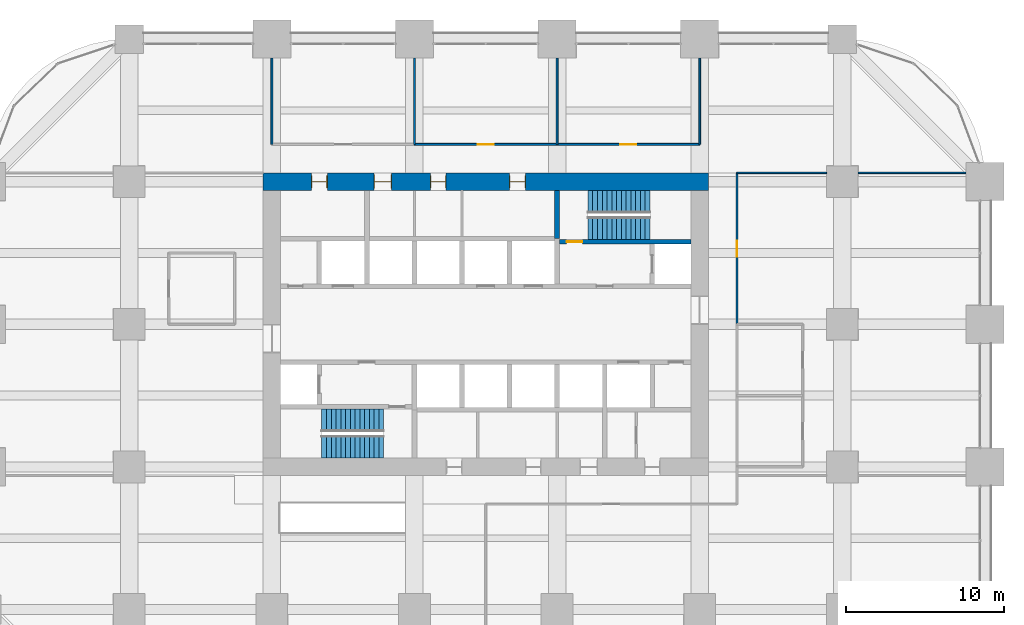
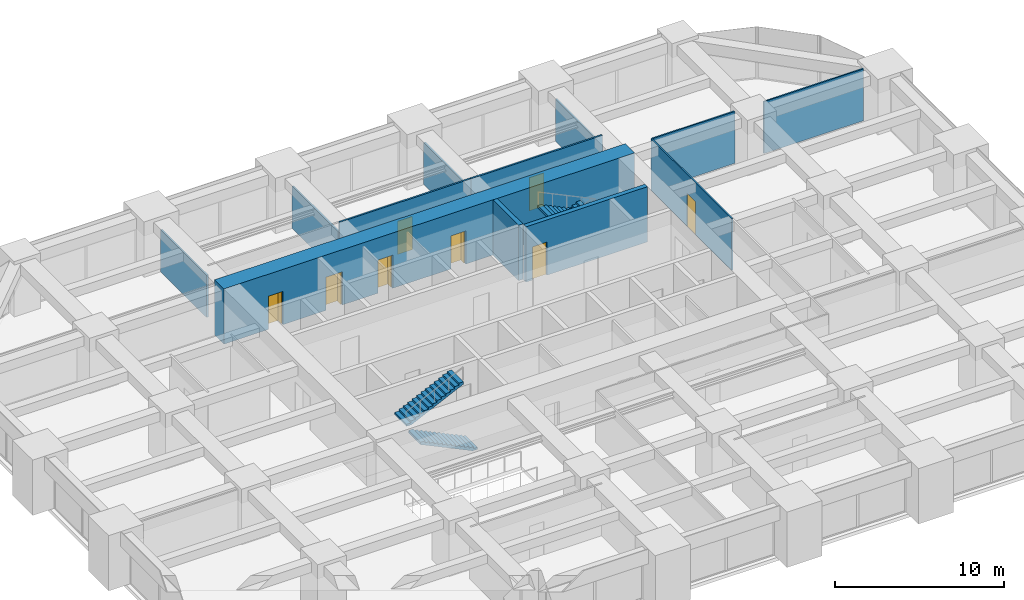
# One storey, part 38 of 39: 12 walls, 8 doors, 4 stair flights, 8 openings, 2 elements without a shape of their own.
"""IFC4 building model written with IfcOpenShell, lengths in metres."""

from ifc_helpers import new_model, si_unit, direction, frame, frame_2d, origin, place, context, subcontext, project, spatial, polyline, rectangle, outline, extrude, material, layer, layer_set, type_object, element, fill, aggregate, save


model = new_model("IFC4")

# Units and contexts
model_context = context("Model", 3, precision=1e-05, world=origin(), true_north=direction((0.0, 1.0)))
body_context = subcontext(model_context, "Body", "Model", "MODEL_VIEW")
ifc_project = project(units=[si_unit("LENGTHUNIT", "METRE"), si_unit("AREAUNIT", "SQUARE_METRE"), si_unit("VOLUMEUNIT", "CUBIC_METRE"), si_unit("PLANEANGLEUNIT", "RADIAN"), si_unit("MASSUNIT", "GRAM", prefix="KILO")], contexts=[model_context])

# Site, building, storey
site_placement = place(None, origin())
site = spatial("IfcSite", under=ifc_project, at=site_placement, CompositionType="ELEMENT")
building_placement = place(site_placement, origin())
building = spatial("IfcBuilding", under=site, at=building_placement, Name="Zorevar Civic Tower", CompositionType="ELEMENT")
storey_placement = place(building_placement, frame((0.0, 0.0, 121.0)))
storey = spatial("IfcBuildingStorey", under=building, at=storey_placement, Name="L29", CompositionType="ELEMENT", Elevation=121.0)

# Wall, openings, doors
ifc_material_1 = material(Name="Concrete C50/60", Category="concrete")
ifc_layer_1 = layer(ifc_material_1, 1.10009765625)
ifc_layer_set_1 = layer_set([ifc_layer_1], Name="Core wall 1100")
wall_type_1 = type_object("IfcWallType", Name="Core wall 1100", PredefinedType="SHEAR", material=ifc_layer_set_1)
wall_1_placement = place(storey_placement, frame((45.550048828125, 36.0, 0.0), z_axis=(0.0, 0.0, 1.0), x_axis=(-1.0, 0.0, 0.0)))
wall_1 = element("IfcWall", 1, at=wall_1_placement, inside=storey, type_object=wall_type_1, Name="Core wall N L29", PredefinedType="SHEAR", context=body_context, shape_type="SweptSolid", body=[
    extrude(rectangle(XDim=28.10009765625, YDim=1.10009765625, at=frame_2d((14.050048828125, 0.0))), origin(), (0.0, 0.0, 1.0), 4.0),
])
opening_1_placement = place(wall_1_placement, frame((11.550048828125, 0.0, 0.0)))
opening_1 = element("IfcOpeningElement", 2, at=opening_1_placement, cuts=wall_1, Name="Opening L29.07", PredefinedType="OPENING", context=body_context, shape_type="SweptSolid", body=[
    extrude(rectangle(XDim=1.0, YDim=2.39990234375, at=frame_2d((0.5, 1.199951171875))), frame((0.0, 0.56005859375, 0.0), z_axis=(0.0, -1.0, 0.0), x_axis=(1.0, 0.0, 0.0)), (0.0, 0.0, 1.0), 1.1201171875),
])
opening_2_placement = place(wall_1_placement, frame((16.550048828125, 0.0, 0.0)))
opening_2 = element("IfcOpeningElement", 3, at=opening_2_placement, cuts=wall_1, Name="Opening L29.08", PredefinedType="OPENING", context=body_context, shape_type="SweptSolid", body=[
    extrude(rectangle(XDim=1.0, YDim=2.39990234375, at=frame_2d((0.5, 1.199951171875))), frame((0.0, 0.56005859375, 0.0), z_axis=(0.0, -1.0, 0.0), x_axis=(1.0, 0.0, 0.0)), (0.0, 0.0, 1.0), 1.1201171875),
])
opening_3_placement = place(wall_1_placement, frame((20.0, 0.0, 0.0)))
opening_3 = element("IfcOpeningElement", 4, at=opening_3_placement, cuts=wall_1, Name="Opening L29.09", PredefinedType="OPENING", context=body_context, shape_type="SweptSolid", body=[
    extrude(rectangle(XDim=1.10009765625, YDim=2.39990234375, at=frame_2d((0.550048828125, 1.199951171875))), frame((0.0, 0.56005859375, 0.0), z_axis=(0.0, -1.0, 0.0), x_axis=(1.0, 0.0, 0.0)), (0.0, 0.0, 1.0), 1.1201171875),
])
opening_4_placement = place(wall_1_placement, frame((24.050048828125, 0.0, 0.0)))
opening_4 = element("IfcOpeningElement", 5, at=opening_4_placement, cuts=wall_1, Name="Opening L29.10", PredefinedType="OPENING", context=body_context, shape_type="SweptSolid", body=[
    extrude(rectangle(XDim=1.0, YDim=2.39990234375, at=frame_2d((0.5, 1.199951171875))), frame((0.0, 0.56005859375, 0.0), z_axis=(0.0, -1.0, 0.0), x_axis=(1.0, 0.0, 0.0)), (0.0, 0.0, 1.0), 1.1201171875),
])
ifc_material_2 = material(Name="Timber door set", Category="wood")
door_type_1 = type_object("IfcDoorType", Name="Door D1 1000x2400", OperationType="SINGLE_SWING_LEFT", PredefinedType="DOOR", material=ifc_material_2)
door_1_placement = place(opening_1_placement, origin())
door_1 = element("IfcDoor", 6, at=door_1_placement, inside=storey, type_object=door_type_1, Name="Door L29 06", OperationType="SINGLE_SWING_LEFT", OverallHeight=2.39990234375, OverallWidth=1.0, PredefinedType="DOOR", context=body_context, shape_type="SweptSolid", body=[
    extrude(rectangle(XDim=1.0, YDim=2.39990234375, at=frame_2d((0.5, 1.199951171875))), frame((0.0, 0.02490234375, 0.0), z_axis=(0.0, -1.0, 0.0), x_axis=(1.0, 0.0, 0.0)), (0.0, 0.0, 1.0), 0.050048828125),
    extrude(rectangle(XDim=0.04, YDim=2.39990234375, at=frame_2d((0.02001953125, 1.199951171875))), frame((0.0, 0.39990234375, 0.0), z_axis=(0.0, -1.0, 0.0), x_axis=(1.0, 0.0, 0.0)), (0.0, 0.0, 1.0), 0.800048828125),
    extrude(rectangle(XDim=0.04, YDim=2.39990234375, at=frame_2d((0.97998046875, 1.199951171875))), frame((0.0, 0.39990234375, 0.0), z_axis=(0.0, -1.0, 0.0), x_axis=(1.0, 0.0, 0.0)), (0.0, 0.0, 1.0), 0.800048828125),
    extrude(rectangle(XDim=1.0, YDim=0.04, at=frame_2d((0.5, 2.3798828125))), frame((0.0, 0.39990234375, 0.0), z_axis=(0.0, -1.0, 0.0), x_axis=(1.0, 0.0, 0.0)), (0.0, 0.0, 1.0), 0.800048828125),
])
fill(opening_1, door_1)
door_2_placement = place(opening_2_placement, origin())
door_2 = element("IfcDoor", 7, at=door_2_placement, inside=storey, type_object=door_type_1, Name="Door L29 07", OperationType="SINGLE_SWING_RIGHT", OverallHeight=2.39990234375, OverallWidth=1.0, PredefinedType="DOOR", context=body_context, shape_type="SweptSolid", body=[
    extrude(rectangle(XDim=1.0, YDim=2.39990234375, at=frame_2d((0.5, 1.199951171875))), frame((0.0, 0.02490234375, 0.0), z_axis=(0.0, -1.0, 0.0), x_axis=(1.0, 0.0, 0.0)), (0.0, 0.0, 1.0), 0.050048828125),
    extrude(rectangle(XDim=0.04, YDim=2.39990234375, at=frame_2d((0.02001953125, 1.199951171875))), frame((0.0, 0.39990234375, 0.0), z_axis=(0.0, -1.0, 0.0), x_axis=(1.0, 0.0, 0.0)), (0.0, 0.0, 1.0), 0.800048828125),
    extrude(rectangle(XDim=0.04, YDim=2.39990234375, at=frame_2d((0.97998046875, 1.199951171875))), frame((0.0, 0.39990234375, 0.0), z_axis=(0.0, -1.0, 0.0), x_axis=(1.0, 0.0, 0.0)), (0.0, 0.0, 1.0), 0.800048828125),
    extrude(rectangle(XDim=1.0, YDim=0.04, at=frame_2d((0.5, 2.3798828125))), frame((0.0, 0.39990234375, 0.0), z_axis=(0.0, -1.0, 0.0), x_axis=(1.0, 0.0, 0.0)), (0.0, 0.0, 1.0), 0.800048828125),
])
fill(opening_2, door_2)
door_3_placement = place(opening_4_placement, origin())
door_3 = element("IfcDoor", 8, at=door_3_placement, inside=storey, type_object=door_type_1, Name="Door L29 09", OperationType="SINGLE_SWING_RIGHT", OverallHeight=2.39990234375, OverallWidth=1.0, PredefinedType="DOOR", context=body_context, shape_type="SweptSolid", body=[
    extrude(rectangle(XDim=1.0, YDim=2.39990234375, at=frame_2d((0.5, 1.199951171875))), frame((0.0, 0.02490234375, 0.0), z_axis=(0.0, -1.0, 0.0), x_axis=(1.0, 0.0, 0.0)), (0.0, 0.0, 1.0), 0.050048828125),
    extrude(rectangle(XDim=0.04, YDim=2.39990234375, at=frame_2d((0.02001953125, 1.199951171875))), frame((0.0, 0.39990234375, 0.0), z_axis=(0.0, -1.0, 0.0), x_axis=(1.0, 0.0, 0.0)), (0.0, 0.0, 1.0), 0.800048828125),
    extrude(rectangle(XDim=0.04, YDim=2.39990234375, at=frame_2d((0.97998046875, 1.199951171875))), frame((0.0, 0.39990234375, 0.0), z_axis=(0.0, -1.0, 0.0), x_axis=(1.0, 0.0, 0.0)), (0.0, 0.0, 1.0), 0.800048828125),
    extrude(rectangle(XDim=1.0, YDim=0.04, at=frame_2d((0.5, 2.3798828125))), frame((0.0, 0.39990234375, 0.0), z_axis=(0.0, -1.0, 0.0), x_axis=(1.0, 0.0, 0.0)), (0.0, 0.0, 1.0), 0.800048828125),
])
fill(opening_4, door_3)
ifc_material_3 = material(Name="Timber door set", Category="wood")
door_type_2 = type_object("IfcDoorType", Name="Door D5 1100x2400", OperationType="SINGLE_SWING_LEFT", PredefinedType="DOOR", material=ifc_material_3)
door_4_placement = place(opening_3_placement, origin())
door_4 = element("IfcDoor", 9, at=door_4_placement, inside=storey, type_object=door_type_2, Name="Door L29 08", OperationType="SINGLE_SWING_RIGHT", OverallHeight=2.39990234375, OverallWidth=1.10009765625, PredefinedType="DOOR", context=body_context, shape_type="SweptSolid", body=[
    extrude(rectangle(XDim=1.10009765625, YDim=2.39990234375, at=frame_2d((0.550048828125, 1.199951171875))), frame((0.0, 0.02490234375, 0.0), z_axis=(0.0, -1.0, 0.0), x_axis=(1.0, 0.0, 0.0)), (0.0, 0.0, 1.0), 0.050048828125),
    extrude(rectangle(XDim=0.04, YDim=2.39990234375, at=frame_2d((0.02001953125, 1.199951171875))), frame((0.0, 0.43994140625, 0.0), z_axis=(0.0, -1.0, 0.0), x_axis=(1.0, 0.0, 0.0)), (0.0, 0.0, 1.0), 0.880126953125),
    extrude(rectangle(XDim=0.04, YDim=2.39990234375, at=frame_2d((1.080078125, 1.199951171875))), frame((0.0, 0.43994140625, 0.0), z_axis=(0.0, -1.0, 0.0), x_axis=(1.0, 0.0, 0.0)), (0.0, 0.0, 1.0), 0.880126953125),
    extrude(rectangle(XDim=1.10009765625, YDim=0.04, at=frame_2d((0.550048828125, 2.3798828125))), frame((0.0, 0.43994140625, 0.0), z_axis=(0.0, -1.0, 0.0), x_axis=(1.0, 0.0, 0.0)), (0.0, 0.0, 1.0), 0.880126953125),
])
fill(opening_3, door_4)

# Walls
ifc_material_4 = material(Name="Laminated glass in black aluminium frame", Category="aluminium")
ifc_layer_2 = layer(ifc_material_4, 0.10009765625)
ifc_layer_set_2 = layer_set([ifc_layer_2], Name="Glazed partition 100")
wall_type_2 = type_object("IfcWallType", Name="Glazed partition 100", PredefinedType="PARTITIONING", material=ifc_layer_set_2)
wall_2_placement = place(storey_placement, frame((47.35009765625, 36.550048828125, 0.0), z_axis=(0.0, 0.0, 1.0), x_axis=(1.0, 0.0, 0.0)))
element("IfcWall", 10, at=wall_2_placement, inside=storey, type_object=wall_type_2, Name="Glazed partition 100 L29", PredefinedType="PARTITIONING", context=body_context, shape_type="SweptSolid", body=[
    extrude(rectangle(XDim=5.64990234375, YDim=0.10009765625, at=frame_2d((2.824951171875, 0.0))), origin(), (0.0, 0.0, 1.0), 3.75),
])
wall_3_placement = place(storey_placement, frame((55.0, 36.550048828125, 0.0), z_axis=(0.0, 0.0, 1.0), x_axis=(1.0, 0.0, 0.0)))
element("IfcWall", 11, at=wall_3_placement, inside=storey, type_object=wall_type_2, Name="Glazed partition 100 L29", PredefinedType="PARTITIONING", context=body_context, shape_type="SweptSolid", body=[
    extrude(rectangle(XDim=6.800048828125, YDim=0.10009765625, at=frame_2d((3.39990234375, 0.0))), origin(), (0.0, 0.0, 1.0), 3.75),
])

# Wall, opening, door
wall_4_placement = place(storey_placement, frame((47.35009765625, 27.0, 0.0), z_axis=(0.0, 0.0, 1.0), x_axis=(0.0, 1.0, 0.0)))
wall_4 = element("IfcWall", 12, at=wall_4_placement, inside=storey, type_object=wall_type_2, Name="Glazed partition 100 L29", PredefinedType="PARTITIONING", context=body_context, shape_type="SweptSolid", body=[
    extrude(rectangle(XDim=9.550048828125, YDim=0.10009765625, at=frame_2d((4.77490234375, 0.0))), origin(), (0.0, 0.0, 1.0), 3.75),
])
opening_5_placement = place(wall_4_placement, frame((4.27490234375, 0.0, 0.0)))
opening_5 = element("IfcOpeningElement", 13, at=opening_5_placement, cuts=wall_4, Name="Opening L29.24", PredefinedType="OPENING", context=body_context, shape_type="SweptSolid", body=[
    extrude(rectangle(XDim=1.0, YDim=2.39990234375, at=frame_2d((0.5, 1.199951171875))), frame((0.0, 0.06005859375, 0.0), z_axis=(0.0, -1.0, 0.0), x_axis=(1.0, 0.0, 0.0)), (0.0, 0.0, 1.0), 0.1201171875),
])
ifc_material_5 = material(Name="Timber door set", Category="wood")
door_type_3 = type_object("IfcDoorType", Name="Glazed door GD1 1000x2400", OperationType="SINGLE_SWING_LEFT", PredefinedType="DOOR", material=ifc_material_5)
door_5_placement = place(opening_5_placement, origin())
door_5 = element("IfcDoor", 14, at=door_5_placement, inside=storey, type_object=door_type_3, Name="Door L29 D1", OperationType="SINGLE_SWING_RIGHT", OverallHeight=2.39990234375, OverallWidth=1.0, PredefinedType="DOOR", context=body_context, shape_type="SweptSolid", body=[
    extrude(rectangle(XDim=1.0, YDim=2.39990234375, at=frame_2d((0.5, 1.199951171875))), frame((0.0, 0.02001953125, 0.0), z_axis=(0.0, -1.0, 0.0), x_axis=(1.0, 0.0, 0.0)), (0.0, 0.0, 1.0), 0.0400390625),
])
fill(opening_5, door_5)

ifc_material_6 = material(Name="Concrete C40/50", Category="concrete")
ifc_layer_3 = layer(ifc_material_6, 0.300048828125)
ifc_layer_set_3 = layer_set([ifc_layer_3], Name="Inner core wall 300")
wall_type_3 = type_object("IfcWallType", Name="Inner core wall 300", PredefinedType="SHEAR", material=ifc_layer_set_3)
wall_5_placement = place(storey_placement, frame((36.14990234375, 32.199951171875, 0.0), z_axis=(0.0, 0.0, 1.0), x_axis=(1.0, 0.0, 0.0)))
wall_5 = element("IfcWall", 15, at=wall_5_placement, inside=storey, type_object=wall_type_3, Name="Inner core wall N00 L29", PredefinedType="SHEAR", context=body_context, shape_type="SweptSolid", body=[
    extrude(rectangle(XDim=8.300048828125, YDim=0.300048828125, at=frame_2d((4.14990234375, 0.0))), origin(), (0.0, 0.0, 1.0), 4.0),
])
opening_6_placement = place(wall_5_placement, frame((0.449951171875, 0.0, 0.0)))
opening_6 = element("IfcOpeningElement", 16, at=opening_6_placement, cuts=wall_5, Name="Opening L29.12", PredefinedType="OPENING", context=body_context, shape_type="SweptSolid", body=[
    extrude(rectangle(XDim=1.0, YDim=2.39990234375, at=frame_2d((0.5, 1.199951171875))), frame((0.0, 0.159912109375, 0.0), z_axis=(0.0, -1.0, 0.0), x_axis=(1.0, 0.0, 0.0)), (0.0, 0.0, 1.0), 0.320068359375),
])
ifc_material_7 = material(Name="Steel door set", Category="steel")
door_type_4 = type_object("IfcDoorType", Name="Fire door FD1 1000x2400", OperationType="SINGLE_SWING_LEFT", PredefinedType="DOOR", material=ifc_material_7)
door_6_placement = place(opening_6_placement, origin())
door_6 = element("IfcDoor", 17, at=door_6_placement, inside=storey, type_object=door_type_4, Name="Door L29 11", OperationType="SINGLE_SWING_RIGHT", OverallHeight=2.39990234375, OverallWidth=1.0, PredefinedType="DOOR", context=body_context, shape_type="SweptSolid", body=[
    extrude(rectangle(XDim=1.0, YDim=2.39990234375, at=frame_2d((0.5, 1.199951171875))), frame((0.0, 0.030029296875, 0.0), z_axis=(0.0, -1.0, 0.0), x_axis=(1.0, 0.0, 0.0)), (0.0, 0.0, 1.0), 0.06005859375),
])
fill(opening_6, door_6)

# Wall
wall_6_placement = place(storey_placement, frame((36.0, 32.39990234375, 0.0), z_axis=(0.0, 0.0, 1.0), x_axis=(0.0, 1.0, 0.0)))
element("IfcWall", 18, at=wall_6_placement, inside=storey, type_object=wall_type_3, Name="Inner core wall N01 L29", PredefinedType="SHEAR", context=body_context, shape_type="SweptSolid", body=[
    extrude(rectangle(XDim=3.050048828125, YDim=0.300048828125, at=frame_2d((1.52490234375, 0.0))), origin(), (0.0, 0.0, 1.0), 4.0),
])

# Wall, opening, door
ifc_material_8 = material(Name="Gypsum board on steel studs", Category="steel")
ifc_layer_4 = layer(ifc_material_8, 0.1201171875)
ifc_layer_set_4 = layer_set([ifc_layer_4], Name="Partition 120")
wall_type_4 = type_object("IfcWallType", Name="Partition 120", PredefinedType="PARTITIONING", material=ifc_layer_set_4)
wall_7_placement = place(storey_placement, frame((27.0, 38.35009765625, 0.0), z_axis=(0.0, 0.0, 1.0), x_axis=(1.0, 0.0, 0.0)))
wall_7 = element("IfcWall", 19, at=wall_7_placement, inside=storey, type_object=wall_type_4, Name="Partition 120 L29", PredefinedType="PARTITIONING", context=body_context, shape_type="SweptSolid", body=[
    extrude(rectangle(XDim=9.0, YDim=0.1201171875, at=frame_2d((4.5, 0.0))), origin(), (0.0, 0.0, 1.0), 3.75),
])
opening_7_placement = place(wall_7_placement, frame((4.0, 0.0, 0.0)))
opening_7 = element("IfcOpeningElement", 20, at=opening_7_placement, cuts=wall_7, Name="Opening L29.21", PredefinedType="OPENING", context=body_context, shape_type="SweptSolid", body=[
    extrude(rectangle(XDim=1.0, YDim=2.39990234375, at=frame_2d((0.5, 1.199951171875))), frame((0.0, 0.070068359375, 0.0), z_axis=(0.0, -1.0, 0.0), x_axis=(1.0, 0.0, 0.0)), (0.0, 0.0, 1.0), 0.14013671875),
])
door_7_placement = place(opening_7_placement, origin())
door_7 = element("IfcDoor", 21, at=door_7_placement, inside=storey, type_object=door_type_1, Name="Door L29 D1", OperationType="SINGLE_SWING_LEFT", OverallHeight=2.39990234375, OverallWidth=1.0, PredefinedType="DOOR", context=body_context, shape_type="SweptSolid", body=[
    extrude(rectangle(XDim=1.0, YDim=2.39990234375, at=frame_2d((0.5, 1.199951171875))), frame((0.0, 0.02490234375, 0.0), z_axis=(0.0, -1.0, 0.0), x_axis=(1.0, 0.0, 0.0)), (0.0, 0.0, 1.0), 0.050048828125),
])
fill(opening_7, door_7)

wall_8_placement = place(storey_placement, frame((36.0, 38.35009765625, 0.0), z_axis=(0.0, 0.0, 1.0), x_axis=(1.0, 0.0, 0.0)))
wall_8 = element("IfcWall", 22, at=wall_8_placement, inside=storey, type_object=wall_type_4, Name="Partition 120 L29", PredefinedType="PARTITIONING", context=body_context, shape_type="SweptSolid", body=[
    extrude(rectangle(XDim=9.0, YDim=0.1201171875, at=frame_2d((4.5, 0.0))), origin(), (0.0, 0.0, 1.0), 3.75),
])
opening_8_placement = place(wall_8_placement, frame((4.0, 0.0, 0.0)))
opening_8 = element("IfcOpeningElement", 23, at=opening_8_placement, cuts=wall_8, Name="Opening L29.22", PredefinedType="OPENING", context=body_context, shape_type="SweptSolid", body=[
    extrude(rectangle(XDim=1.0, YDim=2.39990234375, at=frame_2d((0.5, 1.199951171875))), frame((0.0, 0.070068359375, 0.0), z_axis=(0.0, -1.0, 0.0), x_axis=(1.0, 0.0, 0.0)), (0.0, 0.0, 1.0), 0.14013671875),
])
door_8_placement = place(opening_8_placement, origin())
door_8 = element("IfcDoor", 24, at=door_8_placement, inside=storey, type_object=door_type_1, Name="Door L29 D1", OperationType="SINGLE_SWING_RIGHT", OverallHeight=2.39990234375, OverallWidth=1.0, PredefinedType="DOOR", context=body_context, shape_type="SweptSolid", body=[
    extrude(rectangle(XDim=1.0, YDim=2.39990234375, at=frame_2d((0.5, 1.199951171875))), frame((0.0, 0.02490234375, 0.0), z_axis=(0.0, -1.0, 0.0), x_axis=(1.0, 0.0, 0.0)), (0.0, 0.0, 1.0), 0.050048828125),
])
fill(opening_8, door_8)

# Walls
for number, where, z_axis, x_axis, name in (
    (25, (18.0, 38.35009765625, 0.0), (0.0, 0.0, 1.0), (0.0, 1.0, 0.0), "Partition 120 L29"),
    (26, (27.0, 38.35009765625, 0.0), (0.0, 0.0, 1.0), (0.0, 1.0, 0.0), "Partition 120 L29"),
    (27, (36.0, 38.35009765625, 0.0), (0.0, 0.0, 1.0), (0.0, 1.0, 0.0), "Partition 120 L29"),
    (28, (45.0, 38.35009765625, 0.0), (0.0, 0.0, 1.0), (0.0, 1.0, 0.0), "Partition 120 L29"),
):
    element("IfcWall", number, at=place(storey_placement, frame(where, z_axis=z_axis, x_axis=x_axis)), inside=storey, type_object=wall_type_4, Name=name, PredefinedType="PARTITIONING", context=body_context, shape_type="SweptSolid", body=[
        extrude(rectangle(XDim=5.449951171875, YDim=0.1201171875, at=frame_2d((2.72509765625, 0.0))), origin(), (0.0, 0.0, 1.0), 3.050048828125),
    ])

# Stair, stair flights
ifc_material_9 = material(Name="Precast concrete C40/50", Category="concrete")
stair_type = type_object("IfcStairType", Name="Stair ST 28R", PredefinedType="HALF_TURN_STAIR", material=ifc_material_9)
stair_1_placement = place(storey_placement, origin())
stair_1 = element("IfcStair", 29, at=stair_1_placement, inside=storey, type_object=stair_type, Name="Stair ST1 L29", PredefinedType="HALF_TURN_STAIR")
ifc_material_10 = material(Name="Precast concrete C40/50", Category="concrete")
stair_flight_type = type_object("IfcStairFlightType", Name="Stair flight", PredefinedType="STRAIGHT", material=ifc_material_10)
stair_flight_1_placement = place(storey_placement, frame((25.050048828125, 19.262451171875, 0.0), z_axis=(0.0, 0.0, 1.0), x_axis=(-1.0, 0.0, 0.0)))
stair_flight_1 = element("IfcStairFlight", 30, at=stair_flight_1_placement, type_object=stair_flight_type, Name="ST1 flight 1", NumberOfRisers=14, NumberOfTreads=13, PredefinedType="STRAIGHT", RiserHeight=0.142857143, TreadLength=0.3, context=body_context, shape_type="SweptSolid", body=[
    extrude(outline(polyline([(0.0, 0.0), (0.0, 0.142822265625), (0.300048828125, 0.142822265625), (0.300048828125, 0.28564453125), (0.60009765625, 0.28564453125), (0.60009765625, 0.428466796875), (0.89990234375, 0.428466796875), (0.89990234375, 0.571533203125), (1.199951171875, 0.571533203125), (1.199951171875, 0.71435546875), (1.5, 0.71435546875), (1.5, 0.857177734375), (1.800048828125, 0.857177734375), (1.800048828125, 1.0), (2.10009765625, 1.0), (2.10009765625, 1.142822265625), (2.39990234375, 1.142822265625), (2.39990234375, 1.28564453125), (2.699951171875, 1.28564453125), (2.699951171875, 1.428466796875), (3.0, 1.428466796875), (3.0, 1.571533203125), (3.300048828125, 1.571533203125), (3.300048828125, 1.71435546875), (3.60009765625, 1.71435546875), (3.60009765625, 1.857177734375), (3.89990234375, 1.857177734375), (3.89990234375, 2.0), (3.89990234375, 1.691162109375), (0.3486328125, 0.0), (0.0, 0.0)])), frame((0.0, 0.71240234375, 0.0), z_axis=(0.0, -1.0, 0.0), x_axis=(1.0, 0.0, 0.0)), (0.0, 0.0, 1.0), 1.425048828125),
])
stair_flight_2_placement = place(storey_placement, frame((21.14990234375, 20.9375, 2.0), z_axis=(0.0, 0.0, 1.0), x_axis=(1.0, 0.0, 0.0)))
stair_flight_2 = element("IfcStairFlight", 31, at=stair_flight_2_placement, type_object=stair_flight_type, Name="ST1 flight 2", NumberOfRisers=14, NumberOfTreads=13, PredefinedType="STRAIGHT", RiserHeight=0.142857143, TreadLength=0.3, context=body_context, shape_type="SweptSolid", body=[
    extrude(outline(polyline([(0.0, 0.0), (0.0, 0.142822265625), (0.300048828125, 0.142822265625), (0.300048828125, 0.28564453125), (0.60009765625, 0.28564453125), (0.60009765625, 0.428466796875), (0.89990234375, 0.428466796875), (0.89990234375, 0.571533203125), (1.199951171875, 0.571533203125), (1.199951171875, 0.71435546875), (1.5, 0.71435546875), (1.5, 0.857177734375), (1.800048828125, 0.857177734375), (1.800048828125, 1.0), (2.10009765625, 1.0), (2.10009765625, 1.142822265625), (2.39990234375, 1.142822265625), (2.39990234375, 1.28564453125), (2.699951171875, 1.28564453125), (2.699951171875, 1.428466796875), (3.0, 1.428466796875), (3.0, 1.571533203125), (3.300048828125, 1.571533203125), (3.300048828125, 1.71435546875), (3.60009765625, 1.71435546875), (3.60009765625, 1.857177734375), (3.89990234375, 1.857177734375), (3.89990234375, 2.0), (3.89990234375, 1.691162109375), (0.3486328125, 0.0), (0.0, 0.0)])), frame((0.0, 0.71240234375, 0.0), z_axis=(0.0, -1.0, 0.0), x_axis=(1.0, 0.0, 0.0)), (0.0, 0.0, 1.0), 1.425048828125),
])
aggregate(stair_1, [stair_flight_1, stair_flight_2])

stair_2_placement = place(storey_placement, origin())
stair_2 = element("IfcStair", 32, at=stair_2_placement, inside=storey, type_object=stair_type, Name="Stair ST2 L29", PredefinedType="HALF_TURN_STAIR")
stair_flight_3_placement = place(storey_placement, frame((37.949951171875, 34.737548828125, 0.0), z_axis=(0.0, 0.0, 1.0), x_axis=(1.0, 0.0, 0.0)))
stair_flight_3 = element("IfcStairFlight", 33, at=stair_flight_3_placement, type_object=stair_flight_type, Name="ST2 flight 1", NumberOfRisers=14, NumberOfTreads=13, PredefinedType="STRAIGHT", RiserHeight=0.142857143, TreadLength=0.3, context=body_context, shape_type="SweptSolid", body=[
    extrude(outline(polyline([(0.0, 0.0), (0.0, 0.142822265625), (0.300048828125, 0.142822265625), (0.300048828125, 0.28564453125), (0.60009765625, 0.28564453125), (0.60009765625, 0.428466796875), (0.89990234375, 0.428466796875), (0.89990234375, 0.571533203125), (1.199951171875, 0.571533203125), (1.199951171875, 0.71435546875), (1.5, 0.71435546875), (1.5, 0.857177734375), (1.800048828125, 0.857177734375), (1.800048828125, 1.0), (2.10009765625, 1.0), (2.10009765625, 1.142822265625), (2.39990234375, 1.142822265625), (2.39990234375, 1.28564453125), (2.699951171875, 1.28564453125), (2.699951171875, 1.428466796875), (3.0, 1.428466796875), (3.0, 1.571533203125), (3.300048828125, 1.571533203125), (3.300048828125, 1.71435546875), (3.60009765625, 1.71435546875), (3.60009765625, 1.857177734375), (3.89990234375, 1.857177734375), (3.89990234375, 2.0), (3.89990234375, 1.691162109375), (0.3486328125, 0.0), (0.0, 0.0)])), frame((0.0, 0.71240234375, 0.0), z_axis=(0.0, -1.0, 0.0), x_axis=(1.0, 0.0, 0.0)), (0.0, 0.0, 1.0), 1.425048828125),
])
stair_flight_4_placement = place(storey_placement, frame((41.85009765625, 33.0625, 2.0), z_axis=(0.0, 0.0, 1.0), x_axis=(-1.0, 0.0, 0.0)))
stair_flight_4 = element("IfcStairFlight", 34, at=stair_flight_4_placement, type_object=stair_flight_type, Name="ST2 flight 2", NumberOfRisers=14, NumberOfTreads=13, PredefinedType="STRAIGHT", RiserHeight=0.142857143, TreadLength=0.3, context=body_context, shape_type="SweptSolid", body=[
    extrude(outline(polyline([(0.0, 0.0), (0.0, 0.142822265625), (0.300048828125, 0.142822265625), (0.300048828125, 0.28564453125), (0.60009765625, 0.28564453125), (0.60009765625, 0.428466796875), (0.89990234375, 0.428466796875), (0.89990234375, 0.571533203125), (1.199951171875, 0.571533203125), (1.199951171875, 0.71435546875), (1.5, 0.71435546875), (1.5, 0.857177734375), (1.800048828125, 0.857177734375), (1.800048828125, 1.0), (2.10009765625, 1.0), (2.10009765625, 1.142822265625), (2.39990234375, 1.142822265625), (2.39990234375, 1.28564453125), (2.699951171875, 1.28564453125), (2.699951171875, 1.428466796875), (3.0, 1.428466796875), (3.0, 1.571533203125), (3.300048828125, 1.571533203125), (3.300048828125, 1.71435546875), (3.60009765625, 1.71435546875), (3.60009765625, 1.857177734375), (3.89990234375, 1.857177734375), (3.89990234375, 2.0), (3.89990234375, 1.691162109375), (0.3486328125, 0.0), (0.0, 0.0)])), frame((0.0, 0.71240234375, 0.0), z_axis=(0.0, -1.0, 0.0), x_axis=(1.0, 0.0, 0.0)), (0.0, 0.0, 1.0), 1.425048828125),
])
aggregate(stair_2, [stair_flight_3, stair_flight_4])

save(model, "model.ifc")
